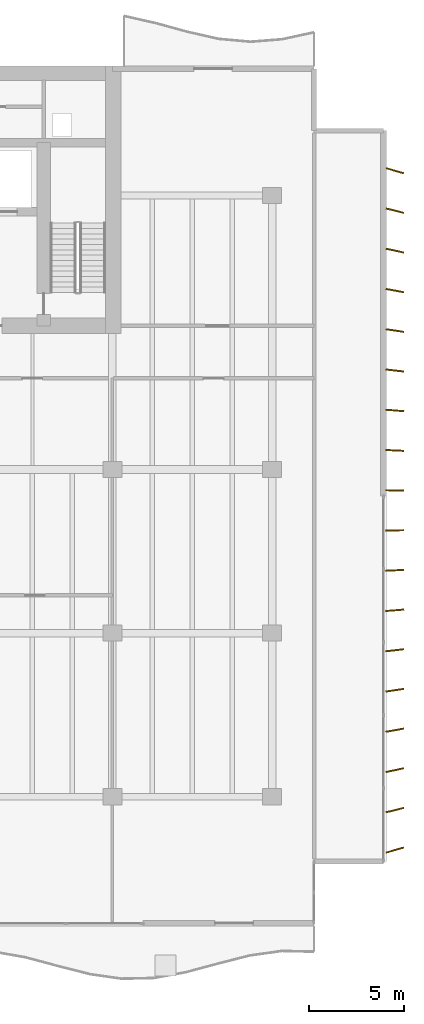
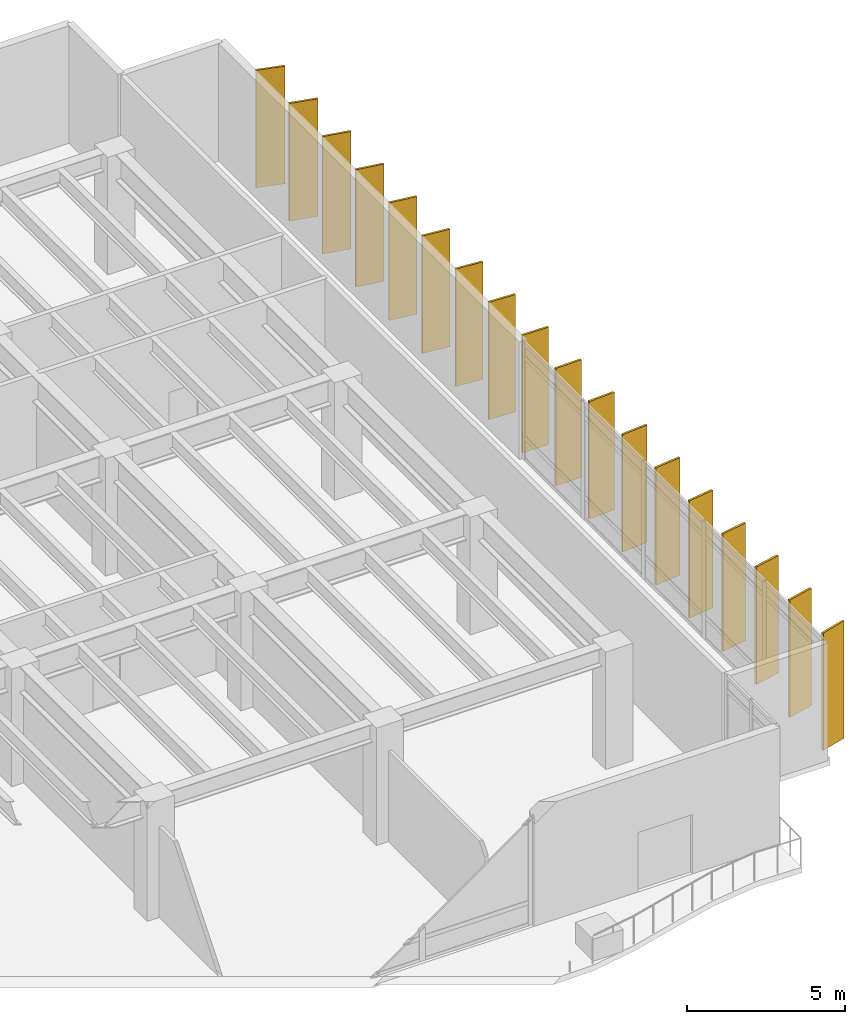
# One storey, part 16 of 16: 18 shading devices.
"""IFC4 building model written with IfcOpenShell, lengths in metres."""

from ifc_helpers import new_model, si_unit, direction, frame, origin, origin_2d, place, context, subcontext, project, spatial, rectangle, extrude, material, material_profile, profile_set, type_object, element, save


model = new_model("IFC4")

# Units and contexts
model_context = context("Model", 3, precision=1e-05, world=origin(), true_north=direction((0.0, 1.0)))
body_context = subcontext(model_context, "Body", "Model", "MODEL_VIEW")
ifc_project = project(units=[si_unit("LENGTHUNIT", "METRE"), si_unit("AREAUNIT", "SQUARE_METRE"), si_unit("VOLUMEUNIT", "CUBIC_METRE"), si_unit("PLANEANGLEUNIT", "RADIAN"), si_unit("MASSUNIT", "GRAM", prefix="KILO")], contexts=[model_context])

# Site, building, storey
site_placement = place(None, origin())
site = spatial("IfcSite", under=ifc_project, at=site_placement, CompositionType="ELEMENT")
building_placement = place(site_placement, origin())
building = spatial("IfcBuilding", under=site, at=building_placement, Name="Caelmar Bay Residences", CompositionType="ELEMENT")
storey_placement = place(building_placement, frame((0.0, 0.0, 97.800048828125)))
storey = spatial("IfcBuildingStorey", under=building, at=storey_placement, Name="L26", CompositionType="ELEMENT", Elevation=97.800048828125)

# Shading devices
ifc_material = material(Name="Anodised architectural bronze aluminium 6063-T6", Category="aluminium")
ifc_material_profile = material_profile(ifc_material, rectangle(XDim=0.074951171875, YDim=0.949951171875, at=origin_2d()), Name="BRONZE-FIN-75X950")
ifc_profile_set = profile_set([ifc_material_profile], Name="Anodised architectural bronze aluminium 6063-T6")
shading_device_type = type_object("IfcShadingDeviceType", Name="SHD-FIN-950", PredefinedType="USERDEFINED", material=ifc_profile_set)
for number, where, z_axis, x_axis, name in (
    (1, (74.35009765625, 9.39990234375, 0.0), (0.0, 0.0, 1.0), (-0.275637355817, 0.961261695938, 0.0), "L26 East Bronze Solar Fin 1"),
    (2, (74.35009765625, 11.5, 0.0), (0.0, 0.0, 1.0), (-0.243953546137, 0.969786918517, 0.0), "L26 East Bronze Solar Fin 2"),
    (3, (74.35009765625, 13.60009765625, 0.0), (0.0, 0.0, 1.0), (-0.212007109922, 0.977268123568, 0.0), "L26 East Bronze Solar Fin 3"),
    (4, (74.35009765625, 15.699951171875, 0.0), (0.0, 0.0, 1.0), (-0.179660748593, 0.98372862895, 0.0), "L26 East Bronze Solar Fin 4"),
    (5, (74.35009765625, 17.800048828125, 0.0), (0.0, 0.0, 1.0), (-0.147291543397, 0.989093120613, 0.0), "L26 East Bronze Solar Fin 5"),
    (6, (74.35009765625, 19.89990234375, 0.0), (0.0, 0.0, 1.0), (-0.114763772489, 0.993392810787, 0.0), "L26 East Bronze Solar Fin 6"),
    (7, (74.35009765625, 22.0, 0.0), (0.0, 0.0, 1.0), (-0.08211245342, 0.996623070671, 0.0), "L26 East Bronze Solar Fin 7"),
    (8, (74.35009765625, 24.10009765625, 0.0), (0.0, 0.0, 1.0), (-0.049198415926, 0.998789024705, 0.0), "L26 East Bronze Solar Fin 8"),
    (9, (74.35009765625, 26.199951171875, 0.0), (0.0, 0.0, 1.0), (-0.016405359001, 0.999865423043, 0.0), "L26 East Bronze Solar Fin 9"),
    (10, (74.35009765625, 28.300048828125, 0.0), (0.0, 0.0, 1.0), (0.016405359001, 0.999865423043, 0.0), "L26 East Bronze Solar Fin 10"),
    (11, (74.35009765625, 30.39990234375, 0.0), (0.0, 0.0, 1.0), (0.049198415926, 0.998789024705, 0.0), "L26 East Bronze Solar Fin 11"),
    (12, (74.35009765625, 32.5, 0.0), (0.0, 0.0, 1.0), (0.08211245342, 0.996623070671, 0.0), "L26 East Bronze Solar Fin 12"),
    (13, (74.35009765625, 34.60009765625, 0.0), (0.0, 0.0, 1.0), (0.114763772489, 0.993392810787, 0.0), "L26 East Bronze Solar Fin 13"),
    (14, (74.35009765625, 36.699951171875, 0.0), (0.0, 0.0, 1.0), (0.147291543397, 0.989093120613, 0.0), "L26 East Bronze Solar Fin 14"),
    (15, (74.35009765625, 38.800048828125, 0.0), (0.0, 0.0, 1.0), (0.179660748593, 0.98372862895, 0.0), "L26 East Bronze Solar Fin 15"),
    (16, (74.35009765625, 40.89990234375, 0.0), (0.0, 0.0, 1.0), (0.212007109922, 0.977268123568, 0.0), "L26 East Bronze Solar Fin 16"),
    (17, (74.35009765625, 43.0, 0.0), (0.0, 0.0, 1.0), (0.243953546137, 0.969786918517, 0.0), "L26 East Bronze Solar Fin 17"),
    (18, (74.35009765625, 45.10009765625, 0.0), (0.0, 0.0, 1.0), (0.275637355817, 0.961261695938, 0.0), "L26 East Bronze Solar Fin 18"),
):
    element("IfcShadingDevice", number, at=place(storey_placement, frame(where, z_axis=z_axis, x_axis=x_axis)), inside=storey, type_object=shading_device_type, Name=name, ObjectType="FIN", PredefinedType="USERDEFINED", context=body_context, shape_type="SweptSolid", body=[
        extrude(rectangle(XDim=0.074951171875, YDim=0.949951171875, at=origin_2d()), origin(), (0.0, 0.0, 1.0), 4.550048828125),
    ])

save(model, "model.ifc")
